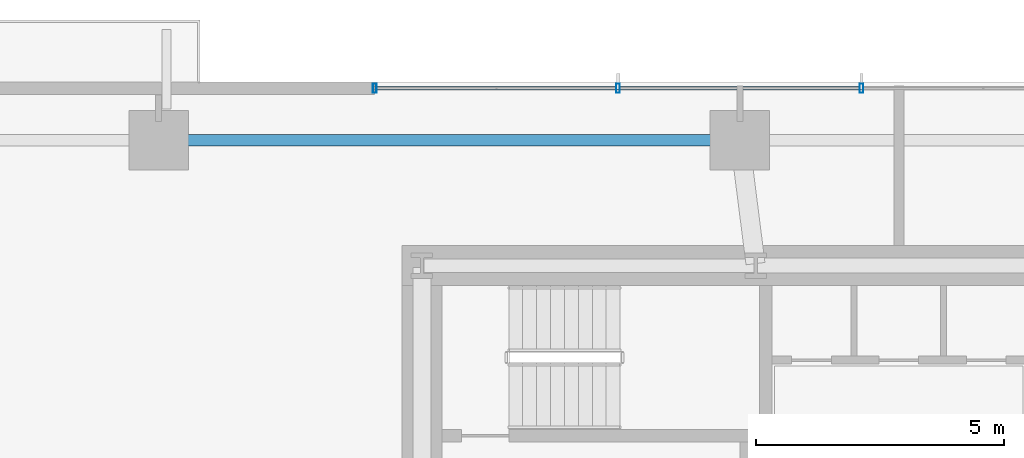
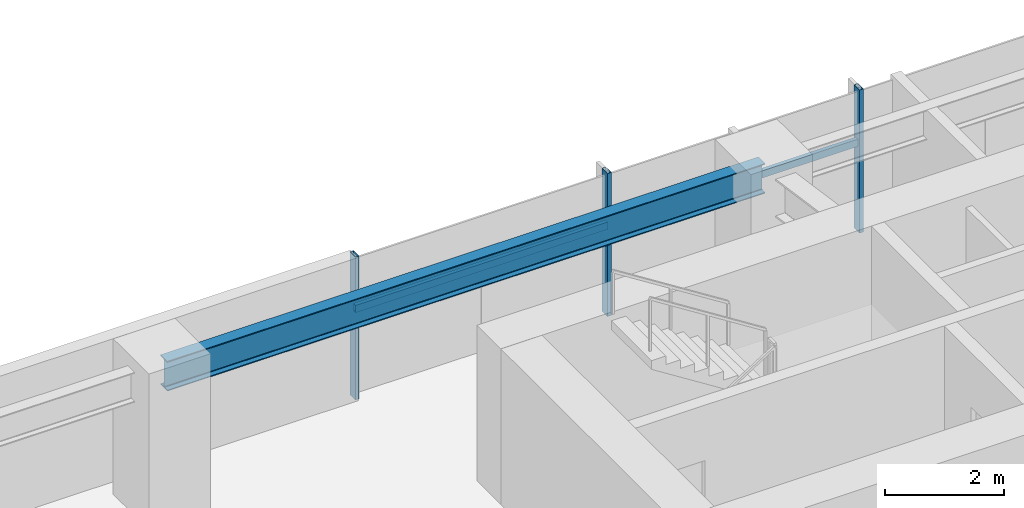
# One storey, part 10 of 25: 5 members, 1 beam, 1 element without a shape of its own.
"""IFC4 building model written with IfcOpenShell, lengths in metres."""

from ifc_helpers import new_model, si_unit, direction, frame, origin, origin_2d, place, context, subcontext, project, spatial, hollow_rectangle, i_section, extrude, source, transform, mapped, material, material_profile, profile_set, type_object, type_shapes, element, aggregate, save


model = new_model("IFC4")

# Units and contexts
model_context = context("Model", 3, precision=1e-05, world=origin(), true_north=direction((0.0, 1.0)))
body_context = subcontext(model_context, "Body", "Model", "MODEL_VIEW")
ifc_project = project(units=[si_unit("LENGTHUNIT", "METRE"), si_unit("AREAUNIT", "SQUARE_METRE"), si_unit("VOLUMEUNIT", "CUBIC_METRE"), si_unit("PLANEANGLEUNIT", "RADIAN"), si_unit("MASSUNIT", "GRAM", prefix="KILO")], contexts=[model_context])

# Site, building, storey
site_placement = place(None, origin())
site = spatial("IfcSite", under=ifc_project, at=site_placement, CompositionType="ELEMENT")
building_placement = place(site_placement, origin())
building = spatial("IfcBuilding", under=site, at=building_placement, Name="Astriad Promenade Condominiums", CompositionType="ELEMENT")
storey_placement = place(building_placement, frame((0.0, 0.0, 42.199951171875)))
storey = spatial("IfcBuildingStorey", under=building, at=storey_placement, Name="L11", CompositionType="ELEMENT", Elevation=42.199951171875)

# Beam
ifc_material_1 = material(Name="Steel ASTM A992 Grade 50", Category="steel")
ifc_material_profile_1 = material_profile(ifc_material_1, i_section(OverallWidth=0.22900390625, OverallDepth=0.612060546875, WebThickness=0.011962890625, FlangeThickness=0.01953125, FilletRadius=0.017822265625, at=origin_2d()), Name="W24X84")
ifc_profile_set_1 = profile_set([ifc_material_profile_1], Name="Steel ASTM A992 Grade 50")
beam_type = type_object("IfcBeamType", Name="STEEL SPANDREL BEAM W24X84", PredefinedType="SPANDREL", material=ifc_profile_set_1)
shared_shape_1 = source(origin(), body_context, "Body", "SweptSolid", [
    extrude(i_section(OverallWidth=0.22900390625, OverallDepth=0.612060546875, WebThickness=0.011962890625, FlangeThickness=0.01953125, FilletRadius=0.017822265625, at=origin_2d()), origin(), (0.0, 0.0, 1.0), 11.6201171875),
])
type_shapes(beam_type, [shared_shape_1])
beam_placement = place(storey_placement, frame((32.760009765625, 26.52001953125, 2.634033203125), z_axis=(-1.0, 0.0, 0.0), x_axis=(0.0, -1.0, 0.0)))
element("IfcBeam", 1, at=beam_placement, inside=storey, type_object=beam_type, Name="Perimeter Spandrel Beam SP-N2-L11", PredefinedType="SPANDREL", context=body_context, shape_type="MappedRepresentation", body=[
    mapped(shared_shape_1, transform((0.0, 0.0, 0.0), scale=1.0)),
])

# Curtain wall, members
ifc_material_2 = material(Name="Anodised aluminium Black Dark Glass Unitised", Category="aluminium")
curtain_wall_type = type_object("IfcCurtainWallType", Name="CW-B1-DARK", PredefinedType="USERDEFINED", material=ifc_material_2)
curtain_wall_placement = place(storey_placement, origin())
curtain_wall = element("IfcCurtainWall", 2, at=curtain_wall_placement, inside=storey, type_object=curtain_wall_type, Name="CW-L11-N", ObjectType="UNITISED_CURTAIN_WALL", PredefinedType="USERDEFINED")
ifc_material_3 = material(Name="Anodised aluminium 6063-T6 Black", Category="aluminium")
ifc_material_profile_2 = material_profile(ifc_material_3, hollow_rectangle(XDim=0.074951171875, YDim=0.18505859375, WallThickness=0.00439453125, at=origin_2d()), Name="ALU-MUL-75X185")
ifc_profile_set_2 = profile_set([ifc_material_profile_2], Name="Anodised aluminium 6063-T6 Black")
member_type_1 = type_object("IfcMemberType", Name="MUL-ALU-MUL-75X185", PredefinedType="MULLION", material=ifc_profile_set_2)
shared_shape_2 = source(origin(), body_context, "Body", "SweptSolid", [
    extrude(hollow_rectangle(XDim=0.074951171875, YDim=0.18505859375, WallThickness=0.00439453125, at=origin_2d()), origin(), (0.0, 0.0, 1.0), 2.93994140625),
])
type_shapes(member_type_1, [shared_shape_2])
member_1_placement = place(storey_placement, frame((25.449951171875, 27.570068359375, 0.0), z_axis=(0.0, 0.0, 1.0), x_axis=(1.0, 0.0, 0.0)))
member_1 = element("IfcMember", 3, at=member_1_placement, type_object=member_type_1, Name="CW-L11-N-MUL-00", PredefinedType="MULLION", context=body_context, shape_type="MappedRepresentation", body=[
    mapped(shared_shape_2, transform((0.0, 0.0, 0.0), scale=1.0)),
])
member_2_placement = place(storey_placement, frame((30.35009765625, 27.570068359375, 0.0), z_axis=(0.0, 0.0, 1.0), x_axis=(1.0, 0.0, 0.0)))
member_2 = element("IfcMember", 4, at=member_2_placement, type_object=member_type_1, Name="CW-L11-N-MUL-01", PredefinedType="MULLION", context=body_context, shape_type="MappedRepresentation", body=[
    mapped(shared_shape_2, transform((0.0, 0.0, 0.0), scale=1.0)),
])
member_3_placement = place(storey_placement, frame((35.25, 27.570068359375, 0.0), z_axis=(0.0, 0.0, 1.0), x_axis=(1.0, 0.0, 0.0)))
member_3 = element("IfcMember", 5, at=member_3_placement, type_object=member_type_1, Name="CW-L11-N-MUL-02", PredefinedType="MULLION", context=body_context, shape_type="MappedRepresentation", body=[
    mapped(shared_shape_2, transform((0.0, 0.0, 0.0), scale=1.0)),
])
ifc_material_profile_3 = material_profile(ifc_material_3, hollow_rectangle(XDim=0.074951171875, YDim=0.14990234375, WallThickness=0.004150390625, at=origin_2d()), Name="ALU-TRN-75X150")
ifc_profile_set_3 = profile_set([ifc_material_profile_3], Name="Anodised aluminium 6063-T6 Black")
member_type_2 = type_object("IfcMemberType", Name="TRN-ALU-TRN-75X150", PredefinedType="USERDEFINED", material=ifc_profile_set_3)
shared_shape_3 = source(origin(), body_context, "Body", "SweptSolid", [
    extrude(hollow_rectangle(XDim=0.074951171875, YDim=0.14990234375, WallThickness=0.004150390625, at=origin_2d()), origin(), (0.0, 0.0, 1.0), 4.900146484375),
])
member_4_placement = place(storey_placement, frame((25.449951171875, 27.570068359375, 1.82275390625), z_axis=(1.0, 0.0, 0.0), x_axis=(0.0, 1.0, 0.0)))
member_4 = element("IfcMember", 6, at=member_4_placement, type_object=member_type_2, Name="CW-L11-N-TRN-00-0", ObjectType="TRANSOM", PredefinedType="USERDEFINED", context=body_context, shape_type="MappedRepresentation", body=[
    mapped(shared_shape_3, transform((0.0, 0.0, 0.0), scale=1.0)),
])
shared_shape_4 = source(origin(), body_context, "Body", "SweptSolid", [
    extrude(hollow_rectangle(XDim=0.074951171875, YDim=0.14990234375, WallThickness=0.004150390625, at=origin_2d()), origin(), (0.0, 0.0, 1.0), 4.89990234375),
])
type_shapes(member_type_2, [shared_shape_3, shared_shape_4])
member_5_placement = place(storey_placement, frame((30.35009765625, 27.570068359375, 1.82275390625), z_axis=(1.0, 0.0, 0.0), x_axis=(0.0, 1.0, 0.0)))
member_5 = element("IfcMember", 7, at=member_5_placement, type_object=member_type_2, Name="CW-L11-N-TRN-01-0", ObjectType="TRANSOM", PredefinedType="USERDEFINED", context=body_context, shape_type="MappedRepresentation", body=[
    mapped(shared_shape_4, transform((0.0, 0.0, 0.0), scale=1.0)),
])
aggregate(curtain_wall, [member_1, member_2, member_3, member_4, member_5])

save(model, "model.ifc")
